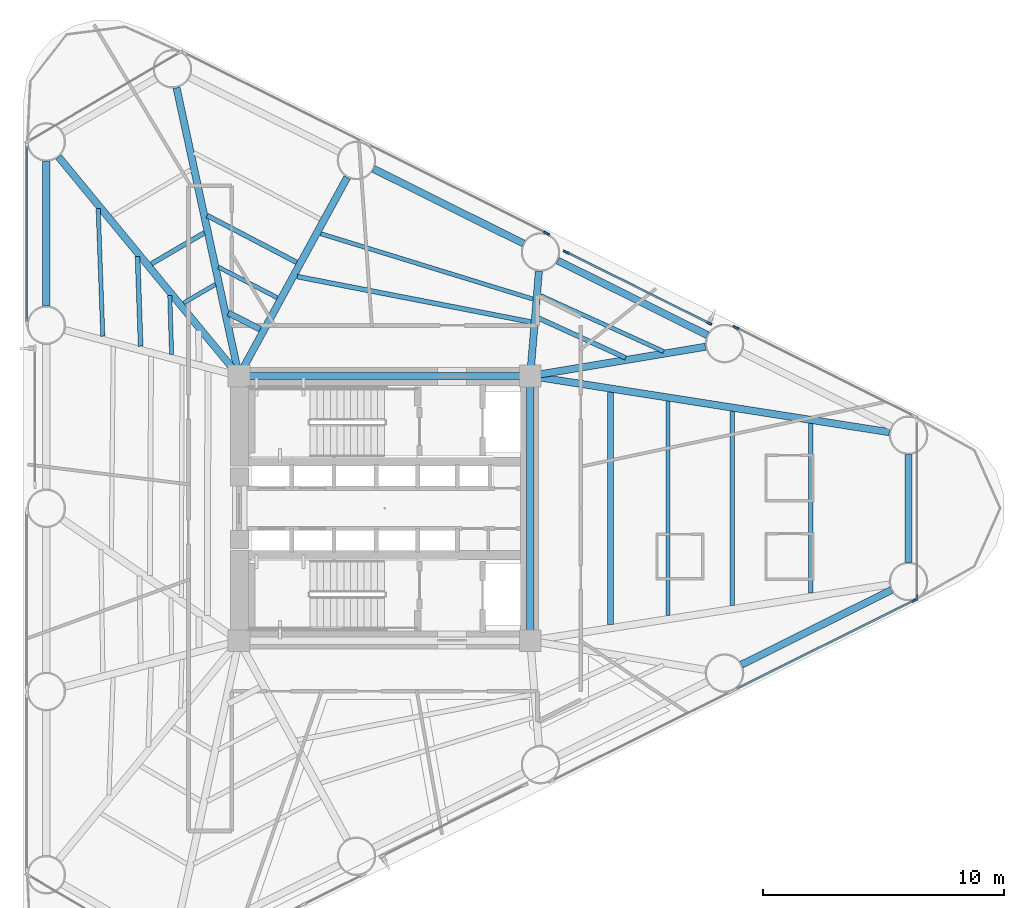
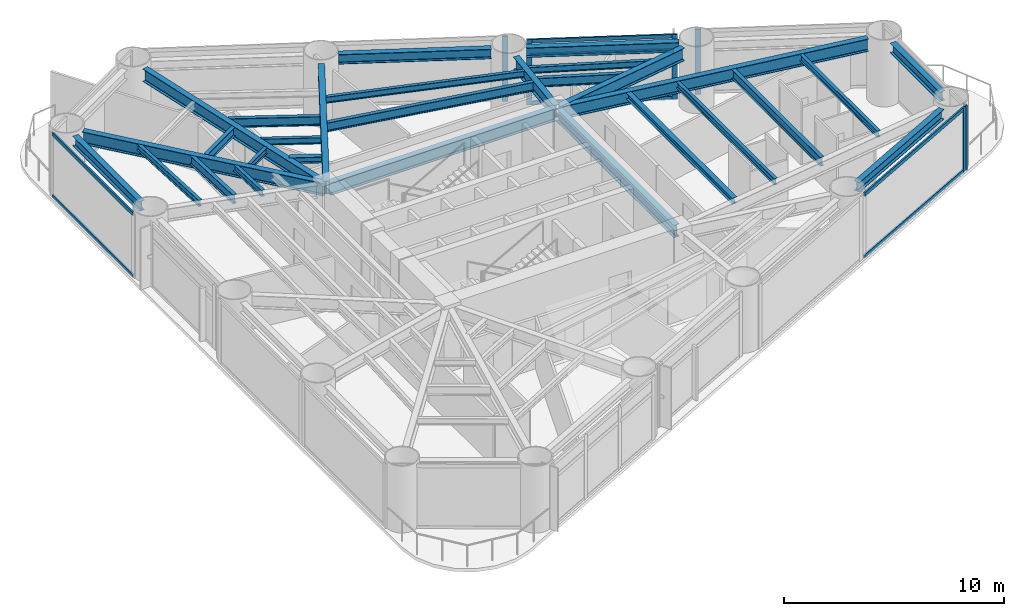
# One storey, part 3 of 11: 29 beams, 13 members, 6 elements without a shape of their own.
"""IFC4 building model written with IfcOpenShell, lengths in metres."""

from ifc_helpers import new_model, si_unit, direction, frame, origin, origin_2d, place, context, subcontext, project, spatial, rectangle, i_section, extrude, source, transform, mapped, material, layer, layer_set, material_profile, profile_set, type_object, element, aggregate, save


model = new_model("IFC4")

# Units and contexts
model_context = context("Model", 3, precision=1e-05, world=origin(), true_north=direction((0.0, 1.0)))
body_context = subcontext(model_context, "Body", "Model", "MODEL_VIEW")
ifc_project = project(units=[si_unit("LENGTHUNIT", "METRE"), si_unit("AREAUNIT", "SQUARE_METRE"), si_unit("VOLUMEUNIT", "CUBIC_METRE"), si_unit("PLANEANGLEUNIT", "RADIAN"), si_unit("MASSUNIT", "GRAM", prefix="KILO")], contexts=[model_context])

# Site, building, storey
site_placement = place(None, origin())
site = spatial("IfcSite", under=ifc_project, at=site_placement, CompositionType="ELEMENT")
building_placement = place(site_placement, origin())
building = spatial("IfcBuilding", under=site, at=building_placement, Name="Yunling Apex Tower", CompositionType="ELEMENT")
storey_placement = place(building_placement, frame((0.0, 0.0, 42.300048828125)))
storey = spatial("IfcBuildingStorey", under=building, at=storey_placement, Name="L12", CompositionType="ELEMENT", Elevation=42.300048828125)

# Beams
ifc_material_1 = material(Name="Steel Q355B", Category="steel")
ifc_material_profile_1 = material_profile(ifc_material_1, i_section(OverallWidth=0.300048828125, OverallDepth=0.699951171875, WebThickness=0.012939453125, FlangeThickness=0.02392578125, FilletRadius=0.02587890625, at=origin_2d()))
ifc_profile_set_1 = profile_set([ifc_material_profile_1], Name="Steel Q355B")
beam_type_1 = type_object("IfcBeamType", Name="BG-PRI-3", PredefinedType="USERDEFINED", material=ifc_profile_set_1)
shared_shape_1 = source(origin(), body_context, "Body", "SweptSolid", [
    extrude(i_section(OverallWidth=0.300048828125, OverallDepth=0.699951171875, WebThickness=0.012939453125, FlangeThickness=0.02392578125, FilletRadius=0.02587890625, at=origin_2d()), origin(), (0.0, 0.0, 1.0), 11.7998046875),
])
beam_1_placement = place(storey_placement, frame((5.89990234375, 5.5, 3.1650390625), z_axis=(-1.0, 0.0, 0.0), x_axis=(0.0, -1.0, 0.0)))
element("IfcBeam", 1, at=beam_1_placement, inside=storey, type_object=beam_type_1, Name="L12 Core Ring Tie Beam 3", ObjectType="GIRDER", PredefinedType="USERDEFINED", context=body_context, shape_type="MappedRepresentation", body=[
    mapped(shared_shape_1, transform((0.0, 0.0, 0.0), scale=1.0)),
])
shared_shape_2 = source(origin(), body_context, "Body", "SweptSolid", [
    extrude(i_section(OverallWidth=0.300048828125, OverallDepth=0.699951171875, WebThickness=0.012939453125, FlangeThickness=0.02392578125, FilletRadius=0.02587890625, at=origin_2d()), origin(), (0.0, 0.0, 1.0), 10.7001953125),
])
beam_2_placement = place(storey_placement, frame((6.050048828125, -5.35009765625, 3.1650390625), z_axis=(0.0, 1.0, 0.0), x_axis=(-1.0, 0.0, 0.0)))
element("IfcBeam", 2, at=beam_2_placement, inside=storey, type_object=beam_type_1, Name="L12 Core Ring Tie Beam 2", ObjectType="GIRDER", PredefinedType="USERDEFINED", context=body_context, shape_type="MappedRepresentation", body=[
    mapped(shared_shape_2, transform((0.0, 0.0, 0.0), scale=1.0)),
])
ifc_material_profile_2 = material_profile(ifc_material_1, i_section(OverallWidth=0.300048828125, OverallDepth=0.5400390625, WebThickness=0.011962890625, FlangeThickness=0.02001953125, FilletRadius=0.02392578125, at=origin_2d()))
ifc_profile_set_2 = profile_set([ifc_material_profile_2], Name="Steel Q355B")
beam_type_2 = type_object("IfcBeamType", Name="BP-SPN-1", PredefinedType="SPANDREL", material=ifc_profile_set_2)
shared_shape_3 = source(origin(), body_context, "Body", "SweptSolid", [
    extrude(i_section(OverallWidth=0.300048828125, OverallDepth=0.5400390625, WebThickness=0.011962890625, FlangeThickness=0.02001953125, FilletRadius=0.02392578125, at=origin_2d()), origin(), (0.0, 0.0, 1.0), 6.950927734375),
])
for number, where, z_axis, x_axis, name in (
    (3, (14.83251953125, -6.48974609375, 3.244873046875), (0.895247556401, 0.445569088646, 0.0), (-0.445569088646, 0.895247556401, 0.0), "L12 Perimeter Spandrel Beam 4"),
    (4, (5.7666015625, 11.002197265625, 3.244873046875), (-0.895247556401, 0.445569088646, 0.0), (-0.445569088646, -0.895247556401, 0.0), "L12 Perimeter Spandrel Beam 8"),
):
    element("IfcBeam", number, at=place(storey_placement, frame(where, z_axis=z_axis, x_axis=x_axis)), inside=storey, type_object=beam_type_2, Name=name, PredefinedType="SPANDREL", context=body_context, shape_type="MappedRepresentation", body=[
        mapped(shared_shape_3, transform((0.0, 0.0, 0.0), scale=1.0)),
    ])
shared_shape_4 = source(origin(), body_context, "Body", "SweptSolid", [
    extrude(i_section(OverallWidth=0.300048828125, OverallDepth=0.5400390625, WebThickness=0.011962890625, FlangeThickness=0.02001953125, FilletRadius=0.02392578125, at=origin_2d()), origin(), (0.0, 0.0, 1.0), 6.95068359375),
])
beam_3_placement = place(storey_placement, frame((13.410888671875, 7.197509765625, 3.244873046875), z_axis=(-0.895254593944, 0.445554948375, 0.0), x_axis=(-0.445554948375, -0.895254593944, 0.0)))
element("IfcBeam", 5, at=beam_3_placement, inside=storey, type_object=beam_type_2, Name="L12 Perimeter Spandrel Beam 7", PredefinedType="SPANDREL", context=body_context, shape_type="MappedRepresentation", body=[
    mapped(shared_shape_4, transform((0.0, 0.0, 0.0), scale=1.0)),
])
shared_shape_5 = source(origin(), body_context, "Body", "SweptSolid", [
    extrude(i_section(OverallWidth=0.300048828125, OverallDepth=0.5400390625, WebThickness=0.011962890625, FlangeThickness=0.02001953125, FilletRadius=0.02392578125, at=origin_2d()), origin(), (0.0, 0.0, 1.0), 4.48974609375),
])
beam_4_placement = place(storey_placement, frame((21.76611328125, -2.244873046875, 3.244873046875), z_axis=(0.0, 1.0, 0.0), x_axis=(-1.0, 0.0, 0.0)))
element("IfcBeam", 6, at=beam_4_placement, inside=storey, type_object=beam_type_2, Name="L12 Perimeter Spandrel Beam 5", PredefinedType="SPANDREL", context=body_context, shape_type="MappedRepresentation", body=[
    mapped(shared_shape_5, transform((0.0, 0.0, 0.0), scale=1.0)),
])
shared_shape_6 = source(origin(), body_context, "Body", "SweptSolid", [
    extrude(i_section(OverallWidth=0.300048828125, OverallDepth=0.5400390625, WebThickness=0.011962890625, FlangeThickness=0.02001953125, FilletRadius=0.02392578125, at=origin_2d()), origin(), (0.0, 0.0, 1.0), 6.021240234375),
])
beam_5_placement = place(storey_placement, frame((-14.052001953125, 14.4248046875, 3.244873046875), z_axis=(0.0, -1.0, 0.0), x_axis=(1.0, 0.0, 0.0)))
element("IfcBeam", 7, at=beam_5_placement, inside=storey, type_object=beam_type_2, Name="L12 Perimeter Spandrel Beam 11", PredefinedType="SPANDREL", context=body_context, shape_type="MappedRepresentation", body=[
    mapped(shared_shape_6, transform((0.0, 0.0, 0.0), scale=1.0)),
])
shared_shape_7 = source(origin(), body_context, "Body", "SweptSolid", [
    extrude(i_section(OverallWidth=0.300048828125, OverallDepth=0.699951171875, WebThickness=0.012939453125, FlangeThickness=0.02392578125, FilletRadius=0.02587890625, at=origin_2d()), origin(), (0.0, 0.0, 1.0), 12.165283203125),
])
beam_6_placement = place(storey_placement, frame((-8.640625, 17.468017578125, 3.1650390625), z_axis=(0.2115638914, -0.977364169517, 0.0), x_axis=(0.977364169517, 0.2115638914, 0.0)))
element("IfcBeam", 8, at=beam_6_placement, inside=storey, type_object=beam_type_1, Name="L12 Radial Primary Girder R10", ObjectType="GIRDER", PredefinedType="USERDEFINED", context=body_context, shape_type="MappedRepresentation", body=[
    mapped(shared_shape_7, transform((0.0, 0.0, 0.0), scale=1.0)),
])
shared_shape_8 = source(origin(), body_context, "Body", "SweptSolid", [
    extrude(i_section(OverallWidth=0.300048828125, OverallDepth=0.699951171875, WebThickness=0.012939453125, FlangeThickness=0.02392578125, FilletRadius=0.02587890625, at=origin_2d()), origin(), (0.0, 0.0, 1.0), 9.31005859375),
])
beam_7_placement = place(storey_placement, frame((-1.553955078125, 13.74365234375, 3.1650390625), z_axis=(-0.478817221141, -0.877914613581, 0.0), x_axis=(0.877914613581, -0.478817221141, 0.0)))
element("IfcBeam", 9, at=beam_7_placement, inside=storey, type_object=beam_type_1, Name="L12 Radial Primary Girder R09", ObjectType="GIRDER", PredefinedType="USERDEFINED", context=body_context, shape_type="MappedRepresentation", body=[
    mapped(shared_shape_8, transform((0.0, 0.0, 0.0), scale=1.0)),
])
shared_shape_9 = source(origin(), body_context, "Body", "SweptSolid", [
    extrude(i_section(OverallWidth=0.300048828125, OverallDepth=0.699951171875, WebThickness=0.012939453125, FlangeThickness=0.02392578125, FilletRadius=0.02587890625, at=origin_2d()), origin(), (0.0, 0.0, 1.0), 4.278076171875),
])
beam_8_placement = place(storey_placement, frame((6.41064453125, 9.843017578125, 3.1650390625), z_axis=(-0.082747937789, -0.996570508691, 0.0), x_axis=(0.996570508691, -0.082747937789, 0.0)))
element("IfcBeam", 10, at=beam_8_placement, inside=storey, type_object=beam_type_1, Name="L12 Radial Primary Girder R08", ObjectType="GIRDER", PredefinedType="USERDEFINED", context=body_context, shape_type="MappedRepresentation", body=[
    mapped(shared_shape_9, transform((0.0, 0.0, 0.0), scale=1.0)),
])
shared_shape_10 = source(origin(), body_context, "Body", "SweptSolid", [
    extrude(i_section(OverallWidth=0.300048828125, OverallDepth=0.699951171875, WebThickness=0.012939453125, FlangeThickness=0.02392578125, FilletRadius=0.02587890625, at=origin_2d()), origin(), (0.0, 0.0, 1.0), 7.294921875),
])
beam_9_placement = place(storey_placement, frame((13.32470703125, 6.7109375, 3.1650390625), z_axis=(-0.98642827455, -0.164192750049, 0.0), x_axis=(0.164192750049, -0.98642827455, 0.0)))
element("IfcBeam", 11, at=beam_9_placement, inside=storey, type_object=beam_type_1, Name="L12 Radial Primary Girder R07", ObjectType="GIRDER", PredefinedType="USERDEFINED", context=body_context, shape_type="MappedRepresentation", body=[
    mapped(shared_shape_10, transform((0.0, 0.0, 0.0), scale=1.0)),
])
shared_shape_11 = source(origin(), body_context, "Body", "SweptSolid", [
    extrude(i_section(OverallWidth=0.300048828125, OverallDepth=0.699951171875, WebThickness=0.012939453125, FlangeThickness=0.02392578125, FilletRadius=0.02587890625, at=origin_2d()), origin(), (0.0, 0.0, 1.0), 15.02001953125),
])
beam_10_placement = place(storey_placement, frame((20.968017578125, 3.163818359375, 3.1650390625), z_axis=(-0.987959991473, 0.154709583568, 0.0), x_axis=(-0.154709583568, -0.987959991473, 0.0)))
element("IfcBeam", 12, at=beam_10_placement, inside=storey, type_object=beam_type_1, Name="L12 Radial Primary Girder R06", ObjectType="GIRDER", PredefinedType="USERDEFINED", context=body_context, shape_type="MappedRepresentation", body=[
    mapped(shared_shape_11, transform((0.0, 0.0, 0.0), scale=1.0)),
])
shared_shape_12 = source(origin(), body_context, "Body", "SweptSolid", [
    extrude(i_section(OverallWidth=0.300048828125, OverallDepth=0.699951171875, WebThickness=0.012939453125, FlangeThickness=0.02392578125, FilletRadius=0.02587890625, at=origin_2d()), origin(), (0.0, 0.0, 1.0), 11.701171875),
])
beam_11_placement = place(storey_placement, frame((-13.538330078125, 14.59521484375, 3.1650390625), z_axis=(0.635615100524, -0.772006116547, 0.0), x_axis=(0.772006116547, 0.635615100524, 0.0)))
element("IfcBeam", 13, at=beam_11_placement, inside=storey, type_object=beam_type_1, Name="L12 Radial Primary Girder R11", ObjectType="GIRDER", PredefinedType="USERDEFINED", context=body_context, shape_type="MappedRepresentation", body=[
    mapped(shared_shape_12, transform((0.0, 0.0, 0.0), scale=1.0)),
])
ifc_material_profile_3 = material_profile(ifc_material_1, i_section(OverallWidth=0.199951171875, OverallDepth=0.5, WebThickness=0.010009765625, FlangeThickness=0.01611328125, FilletRadius=0.02001953125, at=origin_2d()))
ifc_profile_set_3 = profile_set([ifc_material_profile_3], Name="Steel Q355B")
beam_type_3 = type_object("IfcBeamType", Name="BS-SEC-2", PredefinedType="BEAM", material=ifc_profile_set_3)
shared_shape_13 = source(origin(), body_context, "Body", "SweptSolid", [
    extrude(i_section(OverallWidth=0.199951171875, OverallDepth=0.5, WebThickness=0.010009765625, FlangeThickness=0.01611328125, FilletRadius=0.02001953125, at=origin_2d()), origin(), (0.0, 0.0, 1.0), 4.186279296875),
])
beam_12_placement = place(storey_placement, frame((-3.6572265625, 10.221435546875, 3.264892578125), z_axis=(-0.886028927656, 0.463629959512, 0.0), x_axis=(-0.463629959512, -0.886028927656, 0.0)))
element("IfcBeam", 14, at=beam_12_placement, inside=storey, type_object=beam_type_3, Name="L12 Composite Floor Beam BS-9", PredefinedType="BEAM", context=body_context, shape_type="MappedRepresentation", body=[
    mapped(shared_shape_13, transform((0.0, 0.0, 0.0), scale=1.0)),
])
ifc_material_profile_4 = material_profile(ifc_material_1, i_section(OverallWidth=0.175048828125, OverallDepth=0.35009765625, WebThickness=0.007080078125, FlangeThickness=0.010986328125, FilletRadius=0.013916015625, at=origin_2d()))
ifc_profile_set_4 = profile_set([ifc_material_profile_4], Name="Steel Q355B")
beam_type_4 = type_object("IfcBeamType", Name="BJ-JST-1", PredefinedType="JOIST", material=ifc_profile_set_4)
shared_shape_14 = source(origin(), body_context, "Body", "SweptSolid", [
    extrude(i_section(OverallWidth=0.175048828125, OverallDepth=0.35009765625, WebThickness=0.007080078125, FlangeThickness=0.010986328125, FilletRadius=0.013916015625, at=origin_2d()), origin(), (0.0, 0.0, 1.0), 2.7548828125),
])
beam_13_placement = place(storey_placement, frame((-4.459716796875, 8.75, 3.33984375), z_axis=(-0.886932237595, 0.461899562584, 0.0), x_axis=(-0.461899562584, -0.886932237595, 0.0)))
element("IfcBeam", 15, at=beam_13_placement, inside=storey, type_object=beam_type_4, Name="L12 Composite Floor Joist BJ3-9", PredefinedType="JOIST", context=body_context, shape_type="MappedRepresentation", body=[
    mapped(shared_shape_14, transform((0.0, 0.0, 0.0), scale=1.0)),
])
ifc_material_profile_5 = material_profile(ifc_material_1, i_section(OverallWidth=0.25, OverallDepth=0.340087890625, WebThickness=0.009033203125, FlangeThickness=0.013916015625, FilletRadius=0.01806640625, at=origin_2d()))
ifc_profile_set_5 = profile_set([ifc_material_profile_5], Name="Steel Q355B")
beam_type_5 = type_object("IfcBeamType", Name="BJ-JST-2", PredefinedType="JOIST", material=ifc_profile_set_5)
shared_shape_15 = source(origin(), body_context, "Body", "SweptSolid", [
    extrude(i_section(OverallWidth=0.25, OverallDepth=0.340087890625, WebThickness=0.009033203125, FlangeThickness=0.013916015625, FilletRadius=0.01806640625, at=origin_2d()), origin(), (0.0, 0.0, 1.0), 1.482421875),
])
beam_14_placement = place(storey_placement, frame((-5.173095703125, 7.441650390625, 3.344970703125), z_axis=(-0.888960334438, 0.457984196012, 0.0), x_axis=(-0.457984196012, -0.888960334438, 0.0)))
element("IfcBeam", 16, at=beam_14_placement, inside=storey, type_object=beam_type_5, Name="L12 Composite Floor Joist BJ2-9", PredefinedType="JOIST", context=body_context, shape_type="MappedRepresentation", body=[
    mapped(shared_shape_15, transform((0.0, 0.0, 0.0), scale=1.0)),
])
shared_shape_16 = source(origin(), body_context, "Body", "SweptSolid", [
    extrude(i_section(OverallWidth=0.199951171875, OverallDepth=0.5, WebThickness=0.010009765625, FlangeThickness=0.01611328125, FilletRadius=0.02001953125, at=origin_2d()), origin(), (0.0, 0.0, 1.0), 9.883544921875),
])
beam_15_placement = place(storey_placement, frame((6.076416015625, 7.741943359375, 3.264892578125), z_axis=(-0.981653423938, 0.190673950161, 0.0), x_axis=(-0.190673950161, -0.981653423938, 0.0)))
element("IfcBeam", 17, at=beam_15_placement, inside=storey, type_object=beam_type_3, Name="L12 Composite Floor Beam BS-8", PredefinedType="BEAM", context=body_context, shape_type="MappedRepresentation", body=[
    mapped(shared_shape_16, transform((0.0, 0.0, 0.0), scale=1.0)),
])
shared_shape_17 = source(origin(), body_context, "Body", "SweptSolid", [
    extrude(i_section(OverallWidth=0.175048828125, OverallDepth=0.35009765625, WebThickness=0.007080078125, FlangeThickness=0.010986328125, FilletRadius=0.013916015625, at=origin_2d()), origin(), (0.0, 0.0, 1.0), 9.2158203125),
])
beam_16_placement = place(storey_placement, frame((6.15869140625, 8.6962890625, 3.33984375), z_axis=(-0.955731454849, 0.294240354492, 0.0), x_axis=(-0.294240354492, -0.955731454849, 0.0)))
element("IfcBeam", 18, at=beam_16_placement, inside=storey, type_object=beam_type_4, Name="L12 Composite Floor Joist BJ1-8", PredefinedType="JOIST", context=body_context, shape_type="MappedRepresentation", body=[
    mapped(shared_shape_17, transform((0.0, 0.0, 0.0), scale=1.0)),
])
shared_shape_18 = source(origin(), body_context, "Body", "SweptSolid", [
    extrude(i_section(OverallWidth=0.199951171875, OverallDepth=0.5, WebThickness=0.010009765625, FlangeThickness=0.01611328125, FilletRadius=0.02001953125, at=origin_2d()), origin(), (0.0, 0.0, 1.0), 3.971923828125),
])
beam_17_placement = place(storey_placement, frame((10.01318359375, 6.25048828125, 3.264892578125), z_axis=(-0.909609234888, 0.415464847858, 0.0), x_axis=(-0.415464847858, -0.909609234888, 0.0)))
element("IfcBeam", 19, at=beam_17_placement, inside=storey, type_object=beam_type_3, Name="L12 Composite Floor Beam BS-7", PredefinedType="BEAM", context=body_context, shape_type="MappedRepresentation", body=[
    mapped(shared_shape_18, transform((0.0, 0.0, 0.0), scale=1.0)),
])
shared_shape_19 = source(origin(), body_context, "Body", "SweptSolid", [
    extrude(i_section(OverallWidth=0.175048828125, OverallDepth=0.35009765625, WebThickness=0.007080078125, FlangeThickness=0.010986328125, FilletRadius=0.013916015625, at=origin_2d()), origin(), (0.0, 0.0, 1.0), 5.62109375),
])
beam_18_placement = place(storey_placement, frame((11.595947265625, 6.513671875, 3.33984375), z_axis=(-0.910411095702, 0.413704770124, 0.0), x_axis=(-0.413704770124, -0.910411095702, 0.0)))
element("IfcBeam", 20, at=beam_18_placement, inside=storey, type_object=beam_type_4, Name="L12 Composite Floor Joist BJ1-7", PredefinedType="JOIST", context=body_context, shape_type="MappedRepresentation", body=[
    mapped(shared_shape_19, transform((0.0, 0.0, 0.0), scale=1.0)),
])
shared_shape_20 = source(origin(), body_context, "Body", "SweptSolid", [
    extrude(i_section(OverallWidth=0.199951171875, OverallDepth=0.5, WebThickness=0.010009765625, FlangeThickness=0.01611328125, FilletRadius=0.02001953125, at=origin_2d()), origin(), (0.0, 0.0, 1.0), 8.052734375),
])
beam_19_placement = place(storey_placement, frame((14.438720703125, -4.0263671875, 3.264892578125), z_axis=(0.0, 1.0, 0.0), x_axis=(-1.0, 0.0, 0.0)))
element("IfcBeam", 21, at=beam_19_placement, inside=storey, type_object=beam_type_3, Name="L12 Composite Floor Beam BS-5", PredefinedType="BEAM", context=body_context, shape_type="MappedRepresentation", body=[
    mapped(shared_shape_20, transform((0.0, 0.0, 0.0), scale=1.0)),
])
shared_shape_21 = source(origin(), body_context, "Body", "SweptSolid", [
    extrude(i_section(OverallWidth=0.175048828125, OverallDepth=0.35009765625, WebThickness=0.007080078125, FlangeThickness=0.010986328125, FilletRadius=0.013916015625, at=origin_2d()), origin(), (0.0, 0.0, 1.0), 7.02978515625),
])
beam_20_placement = place(storey_placement, frame((17.703369140625, -3.514892578125, 3.33984375), z_axis=(0.0, 1.0, 0.0), x_axis=(-1.0, 0.0, 0.0)))
element("IfcBeam", 22, at=beam_20_placement, inside=storey, type_object=beam_type_4, Name="L12 Composite Floor Joist BJ1-5", PredefinedType="JOIST", context=body_context, shape_type="MappedRepresentation", body=[
    mapped(shared_shape_21, transform((0.0, 0.0, 0.0), scale=1.0)),
])
shared_shape_22 = source(origin(), body_context, "Body", "SweptSolid", [
    extrude(i_section(OverallWidth=0.175048828125, OverallDepth=0.35009765625, WebThickness=0.007080078125, FlangeThickness=0.010986328125, FilletRadius=0.013916015625, at=origin_2d()), origin(), (0.0, 0.0, 1.0), 8.88916015625),
])
beam_21_placement = place(storey_placement, frame((11.767822265625, -4.444580078125, 3.33984375), z_axis=(0.0, 1.0, 0.0), x_axis=(-1.0, 0.0, 0.0)))
element("IfcBeam", 23, at=beam_21_placement, inside=storey, type_object=beam_type_4, Name="L12 Composite Floor Joist BJ3-5", PredefinedType="JOIST", context=body_context, shape_type="MappedRepresentation", body=[
    mapped(shared_shape_22, transform((0.0, 0.0, 0.0), scale=1.0)),
])
shared_shape_23 = source(origin(), body_context, "Body", "SweptSolid", [
    extrude(i_section(OverallWidth=0.25, OverallDepth=0.340087890625, WebThickness=0.009033203125, FlangeThickness=0.013916015625, FilletRadius=0.01806640625, at=origin_2d()), origin(), (0.0, 0.0, 1.0), 9.6328125),
])
beam_22_placement = place(storey_placement, frame((9.3935546875, -4.81640625, 3.344970703125), z_axis=(0.0, 1.0, 0.0), x_axis=(-1.0, 0.0, 0.0)))
element("IfcBeam", 24, at=beam_22_placement, inside=storey, type_object=beam_type_5, Name="L12 Composite Floor Joist BJ2-5", PredefinedType="JOIST", context=body_context, shape_type="MappedRepresentation", body=[
    mapped(shared_shape_23, transform((0.0, 0.0, 0.0), scale=1.0)),
])
shared_shape_24 = source(origin(), body_context, "Body", "SweptSolid", [
    extrude(i_section(OverallWidth=0.199951171875, OverallDepth=0.5, WebThickness=0.010009765625, FlangeThickness=0.01611328125, FilletRadius=0.02001953125, at=origin_2d()), origin(), (0.0, 0.0, 1.0), 2.5380859375),
])
beam_23_placement = place(storey_placement, frame((-7.49169921875, 11.4423828125, 3.264892578125), z_axis=(-0.862768873171, -0.505598527972, 0.0), x_axis=(0.505598527972, -0.862768873171, 0.0)))
element("IfcBeam", 25, at=beam_23_placement, inside=storey, type_object=beam_type_3, Name="L12 Composite Floor Beam BS-10", PredefinedType="BEAM", context=body_context, shape_type="MappedRepresentation", body=[
    mapped(shared_shape_24, transform((0.0, 0.0, 0.0), scale=1.0)),
])
shared_shape_25 = source(origin(), body_context, "Body", "SweptSolid", [
    extrude(i_section(OverallWidth=0.175048828125, OverallDepth=0.35009765625, WebThickness=0.007080078125, FlangeThickness=0.010986328125, FilletRadius=0.013916015625, at=origin_2d()), origin(), (0.0, 0.0, 1.0), 1.522705078125),
])
beam_24_placement = place(storey_placement, frame((-7.028564453125, 9.30224609375, 3.33984375), z_axis=(-0.863086068208, -0.505056866962, 0.0), x_axis=(0.505056866962, -0.863086068208, 0.0)))
element("IfcBeam", 26, at=beam_24_placement, inside=storey, type_object=beam_type_4, Name="L12 Composite Floor Joist BJ3-10", PredefinedType="JOIST", context=body_context, shape_type="MappedRepresentation", body=[
    mapped(shared_shape_25, transform((0.0, 0.0, 0.0), scale=1.0)),
])
shared_shape_26 = source(origin(), body_context, "Body", "SweptSolid", [
    extrude(i_section(OverallWidth=0.199951171875, OverallDepth=0.5, WebThickness=0.010009765625, FlangeThickness=0.01611328125, FilletRadius=0.02001953125, at=origin_2d()), origin(), (0.0, 0.0, 1.0), 3.727783203125),
])
beam_25_placement = place(storey_placement, frame((-10.260498046875, 10.46044921875, 3.264892578125), z_axis=(0.034187081609, -0.999415450877, 0.0), x_axis=(0.999415450877, 0.034187081609, 0.0)))
element("IfcBeam", 27, at=beam_25_placement, inside=storey, type_object=beam_type_3, Name="L12 Composite Floor Beam BS-11", PredefinedType="BEAM", context=body_context, shape_type="MappedRepresentation", body=[
    mapped(shared_shape_26, transform((0.0, 0.0, 0.0), scale=1.0)),
])
shared_shape_27 = source(origin(), body_context, "Body", "SweptSolid", [
    extrude(i_section(OverallWidth=0.175048828125, OverallDepth=0.35009765625, WebThickness=0.007080078125, FlangeThickness=0.010986328125, FilletRadius=0.013916015625, at=origin_2d()), origin(), (0.0, 0.0, 1.0), 5.30224609375),
])
beam_26_placement = place(storey_placement, frame((-11.896484375, 12.447998046875, 3.33984375), z_axis=(0.036144814399, -0.999346562706, 0.0), x_axis=(0.999346562706, 0.036144814399, 0.0)))
element("IfcBeam", 28, at=beam_26_placement, inside=storey, type_object=beam_type_4, Name="L12 Composite Floor Joist BJ1-11", PredefinedType="JOIST", context=body_context, shape_type="MappedRepresentation", body=[
    mapped(shared_shape_27, transform((0.0, 0.0, 0.0), scale=1.0)),
])
shared_shape_28 = source(origin(), body_context, "Body", "SweptSolid", [
    extrude(i_section(OverallWidth=0.175048828125, OverallDepth=0.35009765625, WebThickness=0.007080078125, FlangeThickness=0.010986328125, FilletRadius=0.013916015625, at=origin_2d()), origin(), (0.0, 0.0, 1.0), 2.439697265625),
])
beam_27_placement = place(storey_placement, frame((-8.922119140625, 8.83447265625, 3.33984375), z_axis=(0.03092233012, -0.999521790408, 0.0), x_axis=(0.999521790408, 0.03092233012, 0.0)))
element("IfcBeam", 29, at=beam_27_placement, inside=storey, type_object=beam_type_4, Name="L12 Composite Floor Joist BJ3-11", PredefinedType="JOIST", context=body_context, shape_type="MappedRepresentation", body=[
    mapped(shared_shape_28, transform((0.0, 0.0, 0.0), scale=1.0)),
])

# Curtain wall, member
ifc_material_2 = material(Name="Bronze anodised aluminium", Category="aluminium")
ifc_layer = layer(ifc_material_2, 0.260009765625)
ifc_layer_set = layer_set([ifc_layer], Name="Bronze anodised aluminium")
curtain_wall_type = type_object("IfcCurtainWallType", Name="CW-SYS-2", PredefinedType="NOTDEFINED", material=ifc_layer_set)
curtain_wall_1_placement = place(storey_placement, origin())
curtain_wall_1 = element("IfcCurtainWall", 30, at=curtain_wall_1_placement, inside=storey, type_object=curtain_wall_type, Name="CW-L12-F1-B4", PredefinedType="NOTDEFINED")
ifc_material_profile_6 = material_profile(ifc_material_2, rectangle(XDim=0.0849609375, YDim=0.260009765625, at=origin_2d()))
ifc_profile_set_6 = profile_set([ifc_material_profile_6], Name="Bronze anodised aluminium")
member_type_1 = type_object("IfcMemberType", Name="CW-MUL-2", PredefinedType="MULLION", material=ifc_profile_set_6)
shared_shape_29 = source(origin(), body_context, "Body", "SweptSolid", [
    extrude(rectangle(XDim=0.0849609375, YDim=0.260009765625, at=origin_2d()), origin(), (0.0, 0.0, 1.0), 3.614990234375),
])
member_1_placement = place(storey_placement, frame((22.017333984375, -3.818603515625, -0.050048828125), z_axis=(0.0, 0.0, 1.0), x_axis=(-0.445580190214, 0.895242031011, 0.0)))
member_1 = element("IfcMember", 31, at=member_1_placement, type_object=member_type_1, Name="CW-SYS-2 mullion 2", PredefinedType="MULLION", context=body_context, shape_type="MappedRepresentation", body=[
    mapped(shared_shape_29, transform((0.0, 0.0, 0.0), scale=1.0)),
])

curtain_wall_2_placement = place(storey_placement, origin())
curtain_wall_2 = element("IfcCurtainWall", 32, at=curtain_wall_2_placement, inside=storey, type_object=curtain_wall_type, Name="CW-L12-CRN1", PredefinedType="NOTDEFINED")
member_2_placement = place(storey_placement, frame((22.1181640625, -3.70361328125, -0.050048828125), z_axis=(0.0, 0.0, 1.0), x_axis=(-1.0, 0.0, 0.0)))
member_2 = element("IfcMember", 33, at=member_2_placement, type_object=member_type_1, Name="CW-SYS-2 mullion 1", PredefinedType="MULLION", context=body_context, shape_type="MappedRepresentation", body=[
    mapped(shared_shape_29, transform((0.0, 0.0, 0.0), scale=1.0)),
])
aggregate(curtain_wall_2, [member_2])

curtain_wall_3_placement = place(storey_placement, origin())
curtain_wall_3 = element("IfcCurtainWall", 34, at=curtain_wall_3_placement, inside=storey, type_object=curtain_wall_type, Name="CW-L12-F2-B1", PredefinedType="NOTDEFINED")
member_3_placement = place(storey_placement, frame((14.59228515625, 7.51416015625, -0.050048828125), z_axis=(0.0, 0.0, 1.0), x_axis=(-0.445580190214, -0.895242031011, 0.0)))
member_3 = element("IfcMember", 35, at=member_3_placement, type_object=member_type_1, Name="CW-SYS-2 mullion 2", PredefinedType="MULLION", context=body_context, shape_type="MappedRepresentation", body=[
    mapped(shared_shape_29, transform((0.0, 0.0, 0.0), scale=1.0)),
])
aggregate(curtain_wall_3, [member_3])

# Curtain wall, members
curtain_wall_4_placement = place(storey_placement, origin())
curtain_wall_4 = element("IfcCurtainWall", 36, at=curtain_wall_4_placement, inside=storey, type_object=curtain_wall_type, Name="CW-L12-F2-B2", PredefinedType="NOTDEFINED")
member_4_placement = place(storey_placement, frame((13.469482421875, 7.693115234375, -0.050048828125), z_axis=(0.0, 0.0, 1.0), x_axis=(-0.445576771947, -0.895243732344, 0.0)))
member_4 = element("IfcMember", 37, at=member_4_placement, type_object=member_type_1, Name="CW-SYS-2 mullion 1", PredefinedType="MULLION", context=body_context, shape_type="MappedRepresentation", body=[
    mapped(shared_shape_29, transform((0.0, 0.0, 0.0), scale=1.0)),
])
member_5_placement = place(storey_placement, frame((7.54833984375, 10.640380859375, -0.050048828125), z_axis=(0.0, 0.0, 1.0), x_axis=(-0.445576771947, -0.895243732344, 0.0)))
member_5 = element("IfcMember", 38, at=member_5_placement, type_object=member_type_1, Name="CW-SYS-2 mullion 2", PredefinedType="MULLION", context=body_context, shape_type="MappedRepresentation", body=[
    mapped(shared_shape_29, transform((0.0, 0.0, 0.0), scale=1.0)),
])

# Curtain wall, member
curtain_wall_5_placement = place(storey_placement, origin())
curtain_wall_5 = element("IfcCurtainWall", 39, at=curtain_wall_5_placement, inside=storey, type_object=curtain_wall_type, Name="CW-L12-F2-B3", PredefinedType="NOTDEFINED")
member_6_placement = place(storey_placement, frame((6.728515625, 11.427978515625, -0.050048828125), z_axis=(0.0, 0.0, 1.0), x_axis=(-0.445580190214, -0.895242031011, 0.0)))
member_6 = element("IfcMember", 40, at=member_6_placement, type_object=member_type_1, Name="CW-SYS-2 mullion 1", PredefinedType="MULLION", context=body_context, shape_type="MappedRepresentation", body=[
    mapped(shared_shape_29, transform((0.0, 0.0, 0.0), scale=1.0)),
])
aggregate(curtain_wall_5, [member_6])

# Member
ifc_material_profile_7 = material_profile(ifc_material_2, rectangle(XDim=0.0849609375, YDim=0.199951171875, at=origin_2d()))
ifc_profile_set_7 = profile_set([ifc_material_profile_7], Name="Bronze anodised aluminium")
member_type_2 = type_object("IfcMemberType", Name="CW-TRN-2", PredefinedType="USERDEFINED", material=ifc_profile_set_7)
shared_shape_30 = source(origin(), body_context, "Body", "SweptSolid", [
    extrude(rectangle(XDim=0.0849609375, YDim=0.199951171875, at=origin_2d()), origin(), (0.0, 0.0, 1.0), 8.21728515625),
])
member_7_placement = place(storey_placement, frame((14.626708984375, -7.4970703125, 0.04248046875), z_axis=(0.895245705371, 0.445572807761, 0.0), x_axis=(-0.445572807761, 0.895245705371, 0.0)))
member_7 = element("IfcMember", 41, at=member_7_placement, type_object=member_type_2, Name="CW-SYS-2 transom 1.1", ObjectType="TRANSOM", PredefinedType="USERDEFINED", context=body_context, shape_type="MappedRepresentation", body=[
    mapped(shared_shape_30, transform((0.0, 0.0, 0.0), scale=1.0)),
])

member_8_placement = place(storey_placement, frame((14.626708984375, -7.4970703125, 3.472412109375), z_axis=(0.895245705371, 0.445572807761, 0.0), x_axis=(-0.445572807761, 0.895245705371, 0.0)))
member_8 = element("IfcMember", 42, at=member_8_placement, type_object=member_type_2, Name="CW-SYS-2 transom 1.2", ObjectType="TRANSOM", PredefinedType="USERDEFINED", context=body_context, shape_type="MappedRepresentation", body=[
    mapped(shared_shape_30, transform((0.0, 0.0, 0.0), scale=1.0)),
])

aggregate(curtain_wall_1, [member_1, member_7, member_8])

# Curtain wall, members
curtain_wall_6_placement = place(storey_placement, origin())
curtain_wall_6 = element("IfcCurtainWall", 43, at=curtain_wall_6_placement, inside=storey, type_object=curtain_wall_type, Name="CW-L12-F3-B1", PredefinedType="NOTDEFINED")
shared_shape_31 = source(origin(), body_context, "Body", "SweptSolid", [
    extrude(rectangle(XDim=0.0849609375, YDim=0.199951171875, at=origin_2d()), origin(), (0.0, 0.0, 1.0), 7.287841796875),
])
member_9_placement = place(storey_placement, frame((-14.862060546875, 15.05810546875, 0.04248046875), z_axis=(0.0, -1.0, 0.0), x_axis=(1.0, 0.0, 0.0)))
member_9 = element("IfcMember", 44, at=member_9_placement, type_object=member_type_2, Name="CW-SYS-2 transom 1.1", ObjectType="TRANSOM", PredefinedType="USERDEFINED", context=body_context, shape_type="MappedRepresentation", body=[
    mapped(shared_shape_31, transform((0.0, 0.0, 0.0), scale=1.0)),
])
member_10_placement = place(storey_placement, frame((-14.862060546875, 15.05810546875, 3.472412109375), z_axis=(0.0, -1.0, 0.0), x_axis=(1.0, 0.0, 0.0)))
member_10 = element("IfcMember", 45, at=member_10_placement, type_object=member_type_2, Name="CW-SYS-2 transom 1.2", ObjectType="TRANSOM", PredefinedType="USERDEFINED", context=body_context, shape_type="MappedRepresentation", body=[
    mapped(shared_shape_31, transform((0.0, 0.0, 0.0), scale=1.0)),
])
aggregate(curtain_wall_6, [member_9, member_10])

# Member
shared_shape_32 = source(origin(), body_context, "Body", "SweptSolid", [
    extrude(rectangle(XDim=0.0849609375, YDim=0.199951171875, at=origin_2d()), origin(), (0.0, 0.0, 1.0), 6.537353515625),
])
member_11_placement = place(storey_placement, frame((13.435302734375, 7.710205078125, 0.04248046875), z_axis=(-0.895232386263, 0.445599567533, 0.0), x_axis=(-0.445599567533, -0.895232386263, 0.0)))
member_11 = element("IfcMember", 46, at=member_11_placement, type_object=member_type_2, Name="CW-SYS-2 transom 1.1", ObjectType="TRANSOM", PredefinedType="USERDEFINED", context=body_context, shape_type="MappedRepresentation", body=[
    mapped(shared_shape_32, transform((0.0, 0.0, 0.0), scale=1.0)),
])

member_12_placement = place(storey_placement, frame((13.435302734375, 7.710205078125, 2.67138671875), z_axis=(-0.895232386263, 0.445599567533, 0.0), x_axis=(-0.445599567533, -0.895232386263, 0.0)))
member_12 = element("IfcMember", 47, at=member_12_placement, type_object=member_type_2, Name="CW-SYS-2 transom 1.2", ObjectType="TRANSOM", PredefinedType="USERDEFINED", context=body_context, shape_type="MappedRepresentation", body=[
    mapped(shared_shape_32, transform((0.0, 0.0, 0.0), scale=1.0)),
])

member_13_placement = place(storey_placement, frame((13.435302734375, 7.710205078125, 3.472412109375), z_axis=(-0.895232386263, 0.445599567533, 0.0), x_axis=(-0.445599567533, -0.895232386263, 0.0)))
member_13 = element("IfcMember", 48, at=member_13_placement, type_object=member_type_2, Name="CW-SYS-2 transom 1.3", ObjectType="TRANSOM", PredefinedType="USERDEFINED", context=body_context, shape_type="MappedRepresentation", body=[
    mapped(shared_shape_32, transform((0.0, 0.0, 0.0), scale=1.0)),
])

aggregate(curtain_wall_4, [member_4, member_5, member_11, member_12, member_13])

save(model, "model.ifc")
